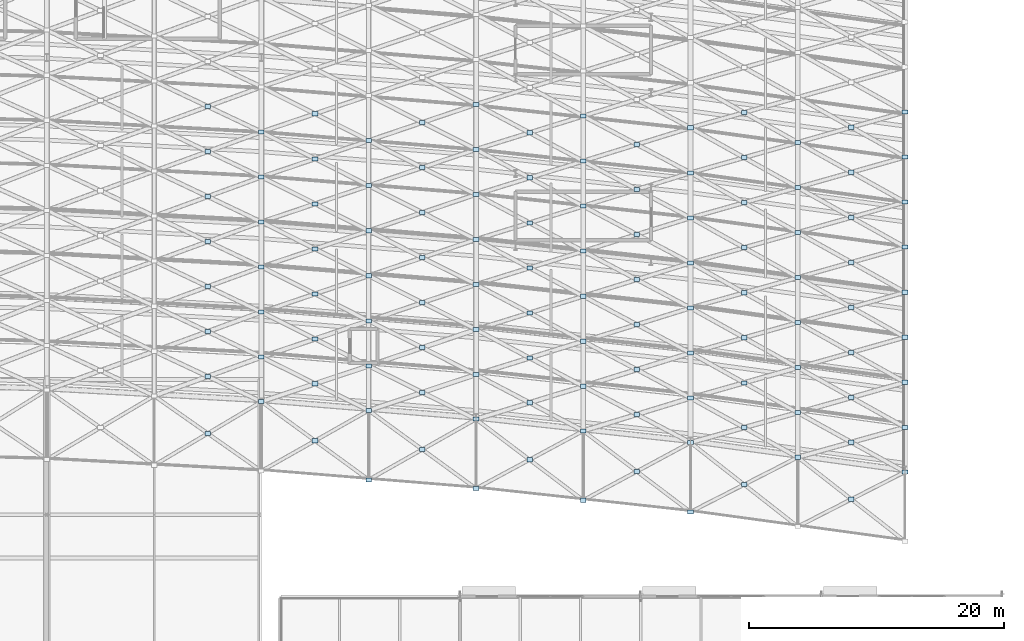
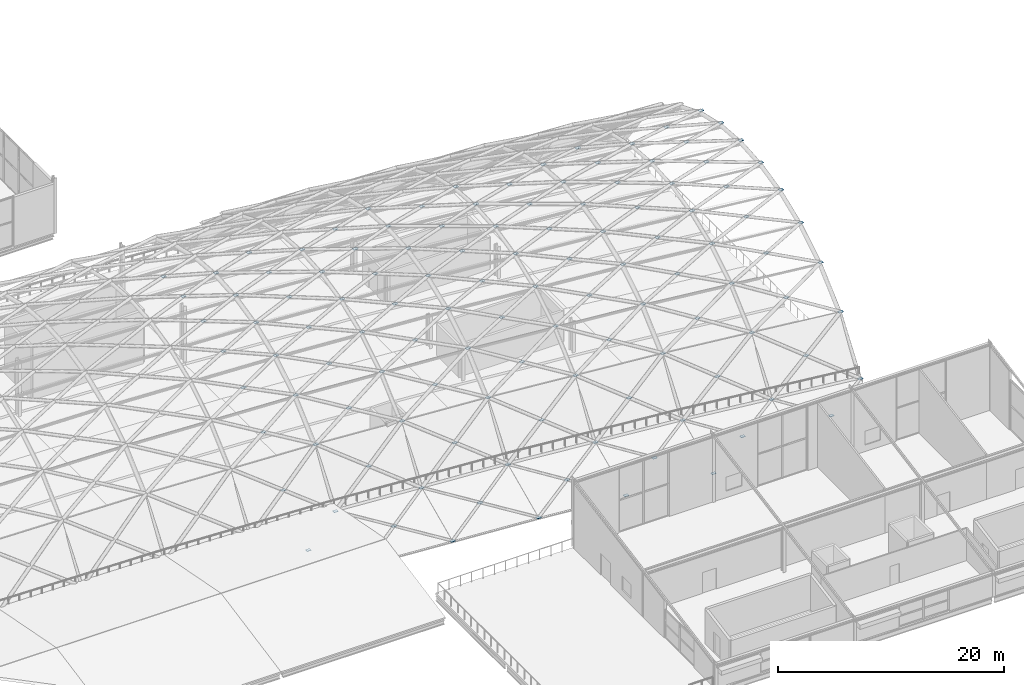
# One storey, part 79 of 100: 117 plates.
"""IFC4 building model written with IfcOpenShell, lengths in metres."""

from ifc_helpers import new_model, si_unit, direction, frame, origin, origin_2d, place, context, subcontext, project, spatial, rectangle, extrude, material, layer, layer_set, type_object, element, save


model = new_model("IFC4")

# Units and contexts
model_context = context("Model", 3, precision=1e-05, world=origin(), true_north=direction((0.0, 1.0)))
body_context = subcontext(model_context, "Body", "Model", "MODEL_VIEW")
ifc_project = project(units=[si_unit("LENGTHUNIT", "METRE"), si_unit("AREAUNIT", "SQUARE_METRE"), si_unit("VOLUMEUNIT", "CUBIC_METRE"), si_unit("PLANEANGLEUNIT", "RADIAN"), si_unit("MASSUNIT", "GRAM", prefix="KILO")], contexts=[model_context])

# Site, building, storey
site_placement = place(None, origin())
site = spatial("IfcSite", under=ifc_project, at=site_placement, CompositionType="ELEMENT")
building_placement = place(site_placement, origin())
building = spatial("IfcBuilding", under=site, at=building_placement, Name="Kimbaza Rail Terminus", CompositionType="ELEMENT")
storey_placement = place(building_placement, frame((0.0, 0.0, 10.800048828125)))
storey = spatial("IfcBuildingStorey", under=building, at=storey_placement, Name="L02", CompositionType="ELEMENT", Elevation=10.800048828125)

# Plates
ifc_material = material(Name="Steel S355", Category="steel")
ifc_layer = layer(ifc_material, 0.0400390625)
ifc_layer_set = layer_set([ifc_layer], Name="Steel S355")
plate_type = type_object("IfcPlateType", Name="STR-PL-NP01", PredefinedType="USERDEFINED", material=ifc_layer_set)
for number, where, z_axis, x_axis, name in (
    (1, (156.0, 53.251220703125, 0.044189453125), (0.0, 0.0, 1.0), (1.0, 0.0, 0.0), "Vault Node Cap Plate NP-01 VR-16/VA01"),
    (2, (156.0, 56.742431640625, 5.147705078125), (0.0, 0.0, 1.0), (1.0, 0.0, 0.0), "Vault Node Cap Plate NP-01 VR-16/VA02"),
    (3, (156.0, 60.26904296875, 8.330322265625), (0.0, 0.0, 1.0), (1.0, 0.0, 0.0), "Vault Node Cap Plate NP-01 VR-16/VA03"),
    (4, (156.0, 63.7958984375, 10.479736328125), (0.0, 0.0, 1.0), (1.0, 0.0, 0.0), "Vault Node Cap Plate NP-01 VR-16/VA04"),
    (5, (156.0, 67.322509765625, 11.89111328125), (0.0, 0.0, 1.0), (1.0, 0.0, 0.0), "Vault Node Cap Plate NP-01 VR-16/VA05"),
    (6, (156.0, 70.84912109375, 12.697265625), (0.0, 0.0, 1.0), (1.0, 0.0, 0.0), "Vault Node Cap Plate NP-01 VR-16/VA06"),
    (7, (156.0, 74.375732421875, 12.9599609375), (0.0, 0.0, 1.0), (1.0, 0.0, 0.0), "Vault Node Cap Plate NP-01 VR-16/VA07"),
    (8, (164.39990234375, 47.1328125, -2.392578125), (0.0, 0.0, 1.0), (1.0, 0.0, 0.0), "Vault Node Cap Plate NP-01 VR-17/VA00"),
    (9, (164.39990234375, 52.566162109375, 0.044189453125), (0.0, 0.0, 1.0), (1.0, 0.0, 0.0), "Vault Node Cap Plate NP-01 VR-17/VA01"),
    (10, (164.39990234375, 56.057373046875, 5.147705078125), (0.0, 0.0, 1.0), (1.0, 0.0, 0.0), "Vault Node Cap Plate NP-01 VR-17/VA02"),
    (11, (164.39990234375, 59.583984375, 8.330322265625), (0.0, 0.0, 1.0), (1.0, 0.0, 0.0), "Vault Node Cap Plate NP-01 VR-17/VA03"),
    (12, (164.39990234375, 63.110595703125, 10.479736328125), (0.0, 0.0, 1.0), (1.0, 0.0, 0.0), "Vault Node Cap Plate NP-01 VR-17/VA04"),
    (13, (164.39990234375, 66.63720703125, 11.89111328125), (0.0, 0.0, 1.0), (1.0, 0.0, 0.0), "Vault Node Cap Plate NP-01 VR-17/VA05"),
    (14, (164.39990234375, 70.1640625, 12.697265625), (0.0, 0.0, 1.0), (1.0, 0.0, 0.0), "Vault Node Cap Plate NP-01 VR-17/VA06"),
    (15, (164.39990234375, 73.690673828125, 12.9599609375), (0.0, 0.0, 1.0), (1.0, 0.0, 0.0), "Vault Node Cap Plate NP-01 VR-17/VA07"),
    (16, (172.800048828125, 46.447509765625, -2.392578125), (0.0, 0.0, 1.0), (1.0, 0.0, 0.0), "Vault Node Cap Plate NP-01 VR-18/VA00"),
    (17, (172.800048828125, 51.881103515625, 0.044189453125), (0.0, 0.0, 1.0), (1.0, 0.0, 0.0), "Vault Node Cap Plate NP-01 VR-18/VA01"),
    (18, (172.800048828125, 55.3720703125, 5.147705078125), (0.0, 0.0, 1.0), (1.0, 0.0, 0.0), "Vault Node Cap Plate NP-01 VR-18/VA02"),
    (19, (172.800048828125, 58.898681640625, 8.330322265625), (0.0, 0.0, 1.0), (1.0, 0.0, 0.0), "Vault Node Cap Plate NP-01 VR-18/VA03"),
    (20, (172.800048828125, 62.425537109375, 10.479736328125), (0.0, 0.0, 1.0), (1.0, 0.0, 0.0), "Vault Node Cap Plate NP-01 VR-18/VA04"),
    (21, (172.800048828125, 65.9521484375, 11.89111328125), (0.0, 0.0, 1.0), (1.0, 0.0, 0.0), "Vault Node Cap Plate NP-01 VR-18/VA05"),
    (22, (172.800048828125, 69.478759765625, 12.697265625), (0.0, 0.0, 1.0), (1.0, 0.0, 0.0), "Vault Node Cap Plate NP-01 VR-18/VA06"),
    (23, (172.800048828125, 73.00537109375, 12.9599609375), (0.0, 0.0, 1.0), (1.0, 0.0, 0.0), "Vault Node Cap Plate NP-01 VR-18/VA07"),
    (24, (172.800048828125, 76.531982421875, 12.697265625), (0.0, 0.0, 1.0), (1.0, 0.0, 0.0), "Vault Node Cap Plate NP-01 VR-18/VA08"),
    (25, (181.199951171875, 45.53173828125, -2.392578125), (0.0, 0.0, 1.0), (1.0, 0.0, 0.0), "Vault Node Cap Plate NP-01 VR-19/VA00"),
    (26, (181.199951171875, 50.965087890625, 0.044189453125), (0.0, 0.0, 1.0), (1.0, 0.0, 0.0), "Vault Node Cap Plate NP-01 VR-19/VA01"),
    (27, (181.199951171875, 54.456298828125, 5.147705078125), (0.0, 0.0, 1.0), (1.0, 0.0, 0.0), "Vault Node Cap Plate NP-01 VR-19/VA02"),
    (28, (181.199951171875, 57.98291015625, 8.330322265625), (0.0, 0.0, 1.0), (1.0, 0.0, 0.0), "Vault Node Cap Plate NP-01 VR-19/VA03"),
    (29, (181.199951171875, 61.509521484375, 10.479736328125), (0.0, 0.0, 1.0), (1.0, 0.0, 0.0), "Vault Node Cap Plate NP-01 VR-19/VA04"),
    (30, (181.199951171875, 65.0361328125, 11.89111328125), (0.0, 0.0, 1.0), (1.0, 0.0, 0.0), "Vault Node Cap Plate NP-01 VR-19/VA05"),
    (31, (181.199951171875, 68.562744140625, 12.697265625), (0.0, 0.0, 1.0), (1.0, 0.0, 0.0), "Vault Node Cap Plate NP-01 VR-19/VA06"),
    (32, (181.199951171875, 72.089599609375, 12.9599609375), (0.0, 0.0, 1.0), (1.0, 0.0, 0.0), "Vault Node Cap Plate NP-01 VR-19/VA07"),
    (33, (181.199951171875, 75.6162109375, 12.697265625), (0.0, 0.0, 1.0), (1.0, 0.0, 0.0), "Vault Node Cap Plate NP-01 VR-19/VA08"),
    (34, (189.60009765625, 44.61572265625, -2.392578125), (0.0, 0.0, 1.0), (1.0, 0.0, 0.0), "Vault Node Cap Plate NP-01 VR-20/VA00"),
    (35, (189.60009765625, 50.049072265625, 0.044189453125), (0.0, 0.0, 1.0), (1.0, 0.0, 0.0), "Vault Node Cap Plate NP-01 VR-20/VA01"),
    (36, (189.60009765625, 53.540283203125, 5.147705078125), (0.0, 0.0, 1.0), (1.0, 0.0, 0.0), "Vault Node Cap Plate NP-01 VR-20/VA02"),
    (37, (189.60009765625, 57.06689453125, 8.330322265625), (0.0, 0.0, 1.0), (1.0, 0.0, 0.0), "Vault Node Cap Plate NP-01 VR-20/VA03"),
    (38, (189.60009765625, 60.593505859375, 10.479736328125), (0.0, 0.0, 1.0), (1.0, 0.0, 0.0), "Vault Node Cap Plate NP-01 VR-20/VA04"),
    (39, (189.60009765625, 64.120361328125, 11.89111328125), (0.0, 0.0, 1.0), (1.0, 0.0, 0.0), "Vault Node Cap Plate NP-01 VR-20/VA05"),
    (40, (189.60009765625, 67.64697265625, 12.697265625), (0.0, 0.0, 1.0), (1.0, 0.0, 0.0), "Vault Node Cap Plate NP-01 VR-20/VA06"),
    (41, (189.60009765625, 71.173583984375, 12.9599609375), (0.0, 0.0, 1.0), (1.0, 0.0, 0.0), "Vault Node Cap Plate NP-01 VR-20/VA07"),
    (42, (189.60009765625, 74.7001953125, 12.697265625), (0.0, 0.0, 1.0), (1.0, 0.0, 0.0), "Vault Node Cap Plate NP-01 VR-20/VA08"),
    (43, (198.0, 48.900390625, 0.044189453125), (0.0, 0.0, 1.0), (1.0, 0.0, 0.0), "Vault Node Cap Plate NP-01 VR-21/VA01"),
    (44, (198.0, 52.3916015625, 5.147705078125), (0.0, 0.0, 1.0), (1.0, 0.0, 0.0), "Vault Node Cap Plate NP-01 VR-21/VA02"),
    (45, (198.0, 55.918212890625, 8.330322265625), (0.0, 0.0, 1.0), (1.0, 0.0, 0.0), "Vault Node Cap Plate NP-01 VR-21/VA03"),
    (46, (198.0, 59.44482421875, 10.479736328125), (0.0, 0.0, 1.0), (1.0, 0.0, 0.0), "Vault Node Cap Plate NP-01 VR-21/VA04"),
    (47, (198.0, 62.971435546875, 11.89111328125), (0.0, 0.0, 1.0), (1.0, 0.0, 0.0), "Vault Node Cap Plate NP-01 VR-21/VA05"),
    (48, (198.0, 66.498046875, 12.697265625), (0.0, 0.0, 1.0), (1.0, 0.0, 0.0), "Vault Node Cap Plate NP-01 VR-21/VA06"),
    (49, (198.0, 70.02490234375, 12.9599609375), (0.0, 0.0, 1.0), (1.0, 0.0, 0.0), "Vault Node Cap Plate NP-01 VR-21/VA07"),
    (50, (198.0, 73.551513671875, 12.697265625), (0.0, 0.0, 1.0), (1.0, 0.0, 0.0), "Vault Node Cap Plate NP-01 VR-21/VA08"),
    (51, (206.39990234375, 47.751708984375, 0.044189453125), (0.0, 0.0, 1.0), (1.0, 0.0, 0.0), "Vault Node Cap Plate NP-01 VR-22/VA01"),
    (52, (206.39990234375, 51.24267578125, 5.147705078125), (0.0, 0.0, 1.0), (1.0, 0.0, 0.0), "Vault Node Cap Plate NP-01 VR-22/VA02"),
    (53, (206.39990234375, 54.769287109375, 8.330322265625), (0.0, 0.0, 1.0), (1.0, 0.0, 0.0), "Vault Node Cap Plate NP-01 VR-22/VA03"),
    (54, (206.39990234375, 58.296142578125, 10.479736328125), (0.0, 0.0, 1.0), (1.0, 0.0, 0.0), "Vault Node Cap Plate NP-01 VR-22/VA04"),
    (55, (206.39990234375, 61.82275390625, 11.89111328125), (0.0, 0.0, 1.0), (1.0, 0.0, 0.0), "Vault Node Cap Plate NP-01 VR-22/VA05"),
    (56, (206.39990234375, 65.349365234375, 12.697265625), (0.0, 0.0, 1.0), (1.0, 0.0, 0.0), "Vault Node Cap Plate NP-01 VR-22/VA06"),
    (57, (206.39990234375, 68.8759765625, 12.9599609375), (0.0, 0.0, 1.0), (1.0, 0.0, 0.0), "Vault Node Cap Plate NP-01 VR-22/VA07"),
    (58, (206.39990234375, 72.40283203125, 12.697265625), (0.0, 0.0, 1.0), (1.0, 0.0, 0.0), "Vault Node Cap Plate NP-01 VR-22/VA08"),
    (59, (206.39990234375, 75.929443359375, 11.89111328125), (0.0, 0.0, 1.0), (1.0, 0.0, 0.0), "Vault Node Cap Plate NP-01 VR-22/VA09"),
    (60, (151.800048828125, 50.7626953125, -1.17431640625), (0.0, 0.0, 1.0), (1.0, 0.0, 0.0), "Vault Crossing Saddle Node Plate NP-01 VR-15/VA00"),
    (61, (151.800048828125, 55.224853515625, 2.595947265625), (0.0, 0.0, 1.0), (1.0, 0.0, 0.0), "Vault Crossing Saddle Node Plate NP-01 VR-15/VA01"),
    (62, (151.800048828125, 58.733642578125, 6.739013671875), (0.0, 0.0, 1.0), (1.0, 0.0, 0.0), "Vault Crossing Saddle Node Plate NP-01 VR-15/VA02"),
    (63, (151.800048828125, 62.260498046875, 9.405029296875), (0.0, 0.0, 1.0), (1.0, 0.0, 0.0), "Vault Crossing Saddle Node Plate NP-01 VR-15/VA03"),
    (64, (151.800048828125, 65.787109375, 11.185546875), (0.0, 0.0, 1.0), (1.0, 0.0, 0.0), "Vault Crossing Saddle Node Plate NP-01 VR-15/VA04"),
    (65, (151.800048828125, 69.313720703125, 12.294189453125), (0.0, 0.0, 1.0), (1.0, 0.0, 0.0), "Vault Crossing Saddle Node Plate NP-01 VR-15/VA05"),
    (66, (151.800048828125, 72.84033203125, 12.82861328125), (0.0, 0.0, 1.0), (1.0, 0.0, 0.0), "Vault Crossing Saddle Node Plate NP-01 VR-15/VA06"),
    (67, (151.800048828125, 76.3671875, 12.82861328125), (0.0, 0.0, 1.0), (1.0, 0.0, 0.0), "Vault Crossing Saddle Node Plate NP-01 VR-15/VA07"),
    (68, (160.199951171875, 50.192138671875, -1.17431640625), (0.0, 0.0, 1.0), (1.0, 0.0, 0.0), "Vault Crossing Saddle Node Plate NP-01 VR-16/VA00"),
    (69, (160.199951171875, 54.654296875, 2.595947265625), (0.0, 0.0, 1.0), (1.0, 0.0, 0.0), "Vault Crossing Saddle Node Plate NP-01 VR-16/VA01"),
    (70, (160.199951171875, 58.163330078125, 6.739013671875), (0.0, 0.0, 1.0), (1.0, 0.0, 0.0), "Vault Crossing Saddle Node Plate NP-01 VR-16/VA02"),
    (71, (160.199951171875, 61.68994140625, 9.405029296875), (0.0, 0.0, 1.0), (1.0, 0.0, 0.0), "Vault Crossing Saddle Node Plate NP-01 VR-16/VA03"),
    (72, (160.199951171875, 65.216552734375, 11.185546875), (0.0, 0.0, 1.0), (1.0, 0.0, 0.0), "Vault Crossing Saddle Node Plate NP-01 VR-16/VA04"),
    (73, (160.199951171875, 68.7431640625, 12.294189453125), (0.0, 0.0, 1.0), (1.0, 0.0, 0.0), "Vault Crossing Saddle Node Plate NP-01 VR-16/VA05"),
    (74, (160.199951171875, 72.269775390625, 12.82861328125), (0.0, 0.0, 1.0), (1.0, 0.0, 0.0), "Vault Crossing Saddle Node Plate NP-01 VR-16/VA06"),
    (75, (160.199951171875, 75.796630859375, 12.82861328125), (0.0, 0.0, 1.0), (1.0, 0.0, 0.0), "Vault Crossing Saddle Node Plate NP-01 VR-16/VA07"),
    (76, (168.60009765625, 49.5068359375, -1.17431640625), (0.0, 0.0, 1.0), (1.0, 0.0, 0.0), "Vault Crossing Saddle Node Plate NP-01 VR-17/VA00"),
    (77, (168.60009765625, 53.96923828125, 2.595947265625), (0.0, 0.0, 1.0), (1.0, 0.0, 0.0), "Vault Crossing Saddle Node Plate NP-01 VR-17/VA01"),
    (78, (168.60009765625, 57.47802734375, 6.739013671875), (0.0, 0.0, 1.0), (1.0, 0.0, 0.0), "Vault Crossing Saddle Node Plate NP-01 VR-17/VA02"),
    (79, (168.60009765625, 61.004638671875, 9.405029296875), (0.0, 0.0, 1.0), (1.0, 0.0, 0.0), "Vault Crossing Saddle Node Plate NP-01 VR-17/VA03"),
    (80, (168.60009765625, 64.53125, 11.185546875), (0.0, 0.0, 1.0), (1.0, 0.0, 0.0), "Vault Crossing Saddle Node Plate NP-01 VR-17/VA04"),
    (81, (168.60009765625, 68.05810546875, 12.294189453125), (0.0, 0.0, 1.0), (1.0, 0.0, 0.0), "Vault Crossing Saddle Node Plate NP-01 VR-17/VA05"),
    (82, (168.60009765625, 71.584716796875, 12.82861328125), (0.0, 0.0, 1.0), (1.0, 0.0, 0.0), "Vault Crossing Saddle Node Plate NP-01 VR-17/VA06"),
    (83, (168.60009765625, 75.111328125, 12.82861328125), (0.0, 0.0, 1.0), (1.0, 0.0, 0.0), "Vault Crossing Saddle Node Plate NP-01 VR-17/VA07"),
    (84, (177.0, 48.706298828125, -1.17431640625), (0.0, 0.0, 1.0), (1.0, 0.0, 0.0), "Vault Crossing Saddle Node Plate NP-01 VR-18/VA00"),
    (85, (177.0, 53.168701171875, 2.595947265625), (0.0, 0.0, 1.0), (1.0, 0.0, 0.0), "Vault Crossing Saddle Node Plate NP-01 VR-18/VA01"),
    (86, (177.0, 56.677490234375, 6.739013671875), (0.0, 0.0, 1.0), (1.0, 0.0, 0.0), "Vault Crossing Saddle Node Plate NP-01 VR-18/VA02"),
    (87, (177.0, 60.2041015625, 9.405029296875), (0.0, 0.0, 1.0), (1.0, 0.0, 0.0), "Vault Crossing Saddle Node Plate NP-01 VR-18/VA03"),
    (88, (177.0, 63.730712890625, 11.185546875), (0.0, 0.0, 1.0), (1.0, 0.0, 0.0), "Vault Crossing Saddle Node Plate NP-01 VR-18/VA04"),
    (89, (177.0, 67.257568359375, 12.294189453125), (0.0, 0.0, 1.0), (1.0, 0.0, 0.0), "Vault Crossing Saddle Node Plate NP-01 VR-18/VA05"),
    (90, (177.0, 70.7841796875, 12.82861328125), (0.0, 0.0, 1.0), (1.0, 0.0, 0.0), "Vault Crossing Saddle Node Plate NP-01 VR-18/VA06"),
    (91, (177.0, 74.310791015625, 12.82861328125), (0.0, 0.0, 1.0), (1.0, 0.0, 0.0), "Vault Crossing Saddle Node Plate NP-01 VR-18/VA07"),
    (92, (185.39990234375, 47.79052734375, -1.17431640625), (0.0, 0.0, 1.0), (1.0, 0.0, 0.0), "Vault Crossing Saddle Node Plate NP-01 VR-19/VA00"),
    (93, (185.39990234375, 52.252685546875, 2.595947265625), (0.0, 0.0, 1.0), (1.0, 0.0, 0.0), "Vault Crossing Saddle Node Plate NP-01 VR-19/VA01"),
    (94, (185.39990234375, 55.761474609375, 6.739013671875), (0.0, 0.0, 1.0), (1.0, 0.0, 0.0), "Vault Crossing Saddle Node Plate NP-01 VR-19/VA02"),
    (95, (185.39990234375, 59.288330078125, 9.405029296875), (0.0, 0.0, 1.0), (1.0, 0.0, 0.0), "Vault Crossing Saddle Node Plate NP-01 VR-19/VA03"),
    (96, (185.39990234375, 62.81494140625, 11.185546875), (0.0, 0.0, 1.0), (1.0, 0.0, 0.0), "Vault Crossing Saddle Node Plate NP-01 VR-19/VA04"),
    (97, (185.39990234375, 66.341552734375, 12.294189453125), (0.0, 0.0, 1.0), (1.0, 0.0, 0.0), "Vault Crossing Saddle Node Plate NP-01 VR-19/VA05"),
    (98, (185.39990234375, 69.8681640625, 12.82861328125), (0.0, 0.0, 1.0), (1.0, 0.0, 0.0), "Vault Crossing Saddle Node Plate NP-01 VR-19/VA06"),
    (99, (185.39990234375, 73.394775390625, 12.82861328125), (0.0, 0.0, 1.0), (1.0, 0.0, 0.0), "Vault Crossing Saddle Node Plate NP-01 VR-19/VA07"),
    (100, (193.800048828125, 46.758056640625, -1.17431640625), (0.0, 0.0, 1.0), (1.0, 0.0, 0.0), "Vault Crossing Saddle Node Plate NP-01 VR-20/VA00"),
    (101, (193.800048828125, 51.22021484375, 2.595947265625), (0.0, 0.0, 1.0), (1.0, 0.0, 0.0), "Vault Crossing Saddle Node Plate NP-01 VR-20/VA01"),
    (102, (193.800048828125, 54.729248046875, 6.739013671875), (0.0, 0.0, 1.0), (1.0, 0.0, 0.0), "Vault Crossing Saddle Node Plate NP-01 VR-20/VA02"),
    (103, (193.800048828125, 58.255859375, 9.405029296875), (0.0, 0.0, 1.0), (1.0, 0.0, 0.0), "Vault Crossing Saddle Node Plate NP-01 VR-20/VA03"),
    (104, (193.800048828125, 61.782470703125, 11.185546875), (0.0, 0.0, 1.0), (1.0, 0.0, 0.0), "Vault Crossing Saddle Node Plate NP-01 VR-20/VA04"),
    (105, (193.800048828125, 65.30908203125, 12.294189453125), (0.0, 0.0, 1.0), (1.0, 0.0, 0.0), "Vault Crossing Saddle Node Plate NP-01 VR-20/VA05"),
    (106, (193.800048828125, 68.8359375, 12.82861328125), (0.0, 0.0, 1.0), (1.0, 0.0, 0.0), "Vault Crossing Saddle Node Plate NP-01 VR-20/VA06"),
    (107, (193.800048828125, 72.362548828125, 12.82861328125), (0.0, 0.0, 1.0), (1.0, 0.0, 0.0), "Vault Crossing Saddle Node Plate NP-01 VR-20/VA07"),
    (108, (193.800048828125, 75.88916015625, 12.294189453125), (0.0, 0.0, 1.0), (1.0, 0.0, 0.0), "Vault Crossing Saddle Node Plate NP-01 VR-20/VA08"),
    (109, (202.199951171875, 45.609375, -1.17431640625), (0.0, 0.0, 1.0), (1.0, 0.0, 0.0), "Vault Crossing Saddle Node Plate NP-01 VR-21/VA00"),
    (110, (202.199951171875, 50.071533203125, 2.595947265625), (0.0, 0.0, 1.0), (1.0, 0.0, 0.0), "Vault Crossing Saddle Node Plate NP-01 VR-21/VA01"),
    (111, (202.199951171875, 53.580322265625, 6.739013671875), (0.0, 0.0, 1.0), (1.0, 0.0, 0.0), "Vault Crossing Saddle Node Plate NP-01 VR-21/VA02"),
    (112, (202.199951171875, 57.107177734375, 9.405029296875), (0.0, 0.0, 1.0), (1.0, 0.0, 0.0), "Vault Crossing Saddle Node Plate NP-01 VR-21/VA03"),
    (113, (202.199951171875, 60.6337890625, 11.185546875), (0.0, 0.0, 1.0), (1.0, 0.0, 0.0), "Vault Crossing Saddle Node Plate NP-01 VR-21/VA04"),
    (114, (202.199951171875, 64.160400390625, 12.294189453125), (0.0, 0.0, 1.0), (1.0, 0.0, 0.0), "Vault Crossing Saddle Node Plate NP-01 VR-21/VA05"),
    (115, (202.199951171875, 67.68701171875, 12.82861328125), (0.0, 0.0, 1.0), (1.0, 0.0, 0.0), "Vault Crossing Saddle Node Plate NP-01 VR-21/VA06"),
    (116, (202.199951171875, 71.2138671875, 12.82861328125), (0.0, 0.0, 1.0), (1.0, 0.0, 0.0), "Vault Crossing Saddle Node Plate NP-01 VR-21/VA07"),
    (117, (202.199951171875, 74.740478515625, 12.294189453125), (0.0, 0.0, 1.0), (1.0, 0.0, 0.0), "Vault Crossing Saddle Node Plate NP-01 VR-21/VA08"),
):
    element("IfcPlate", number, at=place(storey_placement, frame(where, z_axis=z_axis, x_axis=x_axis)), inside=storey, type_object=plate_type, Name=name, ObjectType="GUSSET PLATE", PredefinedType="USERDEFINED", context=body_context, shape_type="SweptSolid", body=[
        extrude(rectangle(XDim=0.43994140625, YDim=0.320068359375, at=origin_2d()), origin(), (0.0, 0.0, 1.0), 0.0400390625),
    ])

save(model, "model.ifc")
